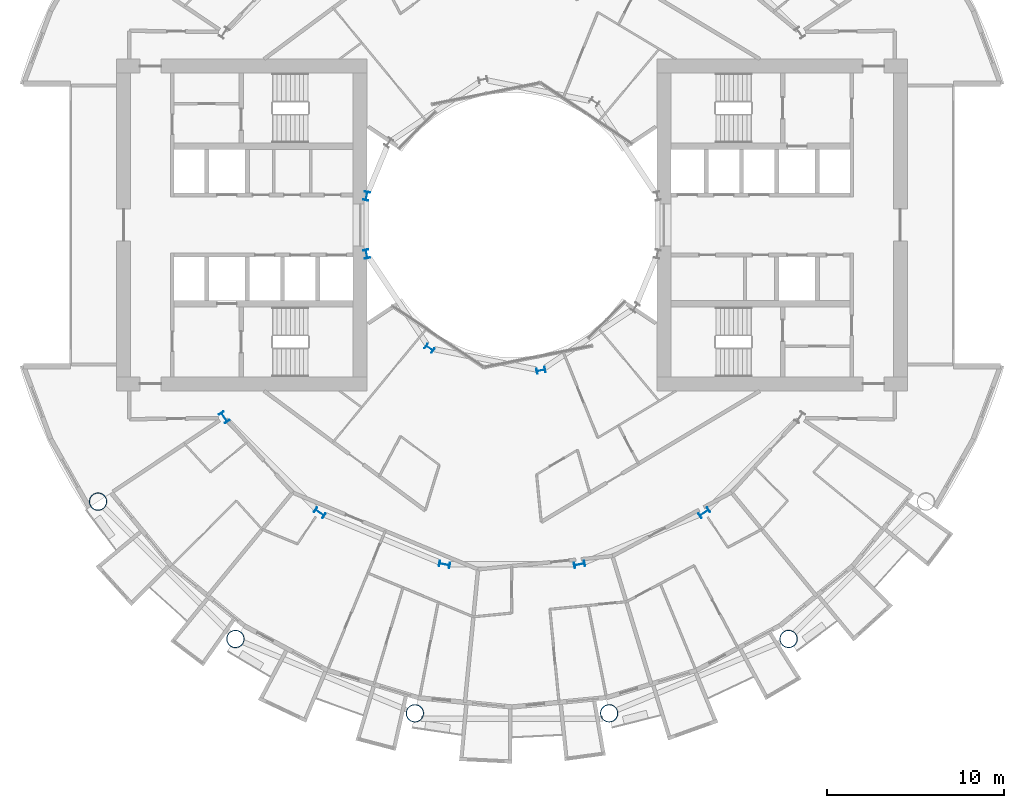
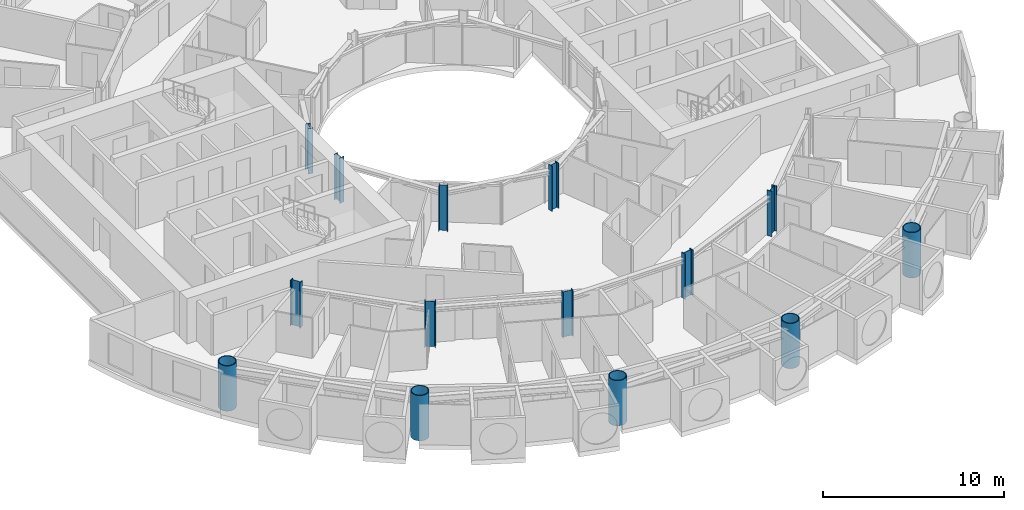
# One storey, part 1 of 26: 14 columns.
"""IFC4 building model written with IfcOpenShell, lengths in metres."""

from ifc_helpers import new_model, si_unit, direction, frame, origin, origin_2d, place, context, subcontext, project, spatial, hollow_circle, i_section, extrude, material, material_profile, profile_set, type_object, element, save


model = new_model("IFC4")

# Units and contexts
model_context = context("Model", 3, precision=1e-05, world=origin(), true_north=direction((0.0, 1.0)))
body_context = subcontext(model_context, "Body", "Model", "MODEL_VIEW")
ifc_project = project(units=[si_unit("LENGTHUNIT", "METRE"), si_unit("AREAUNIT", "SQUARE_METRE"), si_unit("VOLUMEUNIT", "CUBIC_METRE"), si_unit("PLANEANGLEUNIT", "RADIAN"), si_unit("MASSUNIT", "GRAM", prefix="KILO")], contexts=[model_context])

# Site, building, storey
site_placement = place(None, origin())
site = spatial("IfcSite", under=ifc_project, at=site_placement, CompositionType="ELEMENT")
building_placement = place(site_placement, origin())
building = spatial("IfcBuilding", under=site, at=building_placement, Name="Maasbend Ring Residences", CompositionType="ELEMENT")
storey_placement = place(building_placement, frame((0.0, 0.0, 50.25)))
storey = spatial("IfcBuildingStorey", under=building, at=storey_placement, Name="L14", CompositionType="ELEMENT", Elevation=50.25)

# Columns
ifc_material_1 = material(Name="Composite concrete-filled steel tube S460NH / C80/95", Category="concrete")
ifc_material_profile_1 = material_profile(ifc_material_1, hollow_circle(Radius=0.508056640625, WallThickness=0.050048828125, at=origin_2d()), Name="Composite tube column CHS 1016x50")
ifc_profile_set_1 = profile_set([ifc_material_profile_1], Name="Composite concrete-filled steel tube S460NH / C80/95")
column_type_1 = type_object("IfcColumnType", Name="Composite tube column CHS 1016x50", PredefinedType="COLUMN", material=ifc_profile_set_1)
for number, where, z_axis, x_axis, name in (
    (1, (-23.447509765625, -15.6669921875, 0.0), (0.0, 0.0, 1.0), (1.0, 0.0, 0.0), "Outer column R10"),
    (2, (-15.6669921875, -23.447509765625, 0.0), (0.0, 0.0, 1.0), (1.0, 0.0, 0.0), "Outer column R11"),
    (3, (-5.50146484375, -27.658203125, 0.0), (0.0, 0.0, 1.0), (1.0, 0.0, 0.0), "Outer column R12"),
    (4, (5.50146484375, -27.658203125, 0.0), (0.0, 0.0, 1.0), (1.0, 0.0, 0.0), "Outer column R13"),
    (5, (15.6669921875, -23.447509765625, 0.0), (0.0, 0.0, 1.0), (1.0, 0.0, 0.0), "Outer column R14"),
):
    element("IfcColumn", number, at=place(storey_placement, frame(where, z_axis=z_axis, x_axis=x_axis)), inside=storey, type_object=column_type_1, Name=name, PredefinedType="COLUMN", context=body_context, shape_type="SweptSolid", body=[
        extrude(hollow_circle(Radius=0.508056640625, WallThickness=0.050048828125, at=origin_2d()), origin(), (0.0, 0.0, 1.0), 3.050048828125),
    ])
ifc_material_2 = material(Name="Steel S355J2", Category="steel")
ifc_material_profile_2 = material_profile(ifc_material_2, i_section(OverallWidth=0.300048828125, OverallDepth=0.5, WebThickness=0.014404296875, FlangeThickness=0.028076171875, FilletRadius=0.027099609375, at=origin_2d()), Name="HEB 500")
ifc_profile_set_2 = profile_set([ifc_material_profile_2], Name="Steel S355J2")
column_type_2 = type_object("IfcColumnType", Name="Steel column HEB 500", PredefinedType="COLUMN", material=ifc_profile_set_2)
for number, where, z_axis, x_axis, name in (
    (6, (-8.238525390625, 1.638916015625, 0.0), (0.0, 0.0, 1.0), (-0.980785280403, 0.195090322016, 0.0), "Well ring column R8"),
    (7, (-8.238525390625, -1.638916015625, 0.0), (0.0, 0.0, 1.0), (-0.980785280403, -0.195090322016, 0.0), "Well ring column R9"),
    (8, (-4.666748046875, -6.984375, 0.0), (0.0, 0.0, 1.0), (-0.55557023302, -0.831469612303, 0.0), "Well ring column R11"),
    (9, (1.638916015625, -8.238525390625, 0.0), (0.0, 0.0, 1.0), (0.195090322016, -0.980785280403, 0.0), "Well ring column R13"),
):
    element("IfcColumn", number, at=place(storey_placement, frame(where, z_axis=z_axis, x_axis=x_axis)), inside=storey, type_object=column_type_2, Name=name, PredefinedType="COLUMN", context=body_context, shape_type="SweptSolid", body=[
        extrude(i_section(OverallWidth=0.300048828125, OverallDepth=0.5, WebThickness=0.014404296875, FlangeThickness=0.028076171875, FilletRadius=0.027099609375, at=origin_2d()), origin(), (0.0, 0.0, 1.0), 3.050048828125),
    ])
ifc_material_3 = material(Name="Steel S460M", Category="steel")
ifc_material_profile_3 = material_profile(ifc_material_3, i_section(OverallWidth=0.304931640625, OverallDepth=0.6201171875, WebThickness=0.02099609375, FlangeThickness=0.0400390625, FilletRadius=0.027099609375, at=origin_2d()), Name="HEM 600")
ifc_profile_set_3 = profile_set([ifc_material_profile_3], Name="Steel S460M")
column_type_3 = type_object("IfcColumnType", Name="Steel column HEM 600", PredefinedType="COLUMN", material=ifc_profile_set_3)
for number, where, z_axis, x_axis, name in (
    (10, (-16.296875, -10.88916015625, 0.0), (0.0, 0.0, 1.0), (-0.831469612303, -0.55557023302, 0.0), "Corridor ring column R10"),
    (11, (-10.88916015625, -16.296875, 0.0), (0.0, 0.0, 1.0), (-0.55557023302, -0.831469612303, 0.0), "Corridor ring column R11"),
    (12, (-3.82373046875, -19.223388671875, 0.0), (0.0, 0.0, 1.0), (-0.195090322016, -0.980785280403, 0.0), "Corridor ring column R12"),
    (13, (3.82373046875, -19.223388671875, 0.0), (0.0, 0.0, 1.0), (0.195090322016, -0.980785280403, 0.0), "Corridor ring column R13"),
    (14, (10.88916015625, -16.296875, 0.0), (0.0, 0.0, 1.0), (0.55557023302, -0.831469612303, 0.0), "Corridor ring column R14"),
):
    element("IfcColumn", number, at=place(storey_placement, frame(where, z_axis=z_axis, x_axis=x_axis)), inside=storey, type_object=column_type_3, Name=name, PredefinedType="COLUMN", context=body_context, shape_type="SweptSolid", body=[
        extrude(i_section(OverallWidth=0.304931640625, OverallDepth=0.6201171875, WebThickness=0.02099609375, FlangeThickness=0.0400390625, FilletRadius=0.027099609375, at=origin_2d()), origin(), (0.0, 0.0, 1.0), 3.050048828125),
    ])

save(model, "model.ifc")
